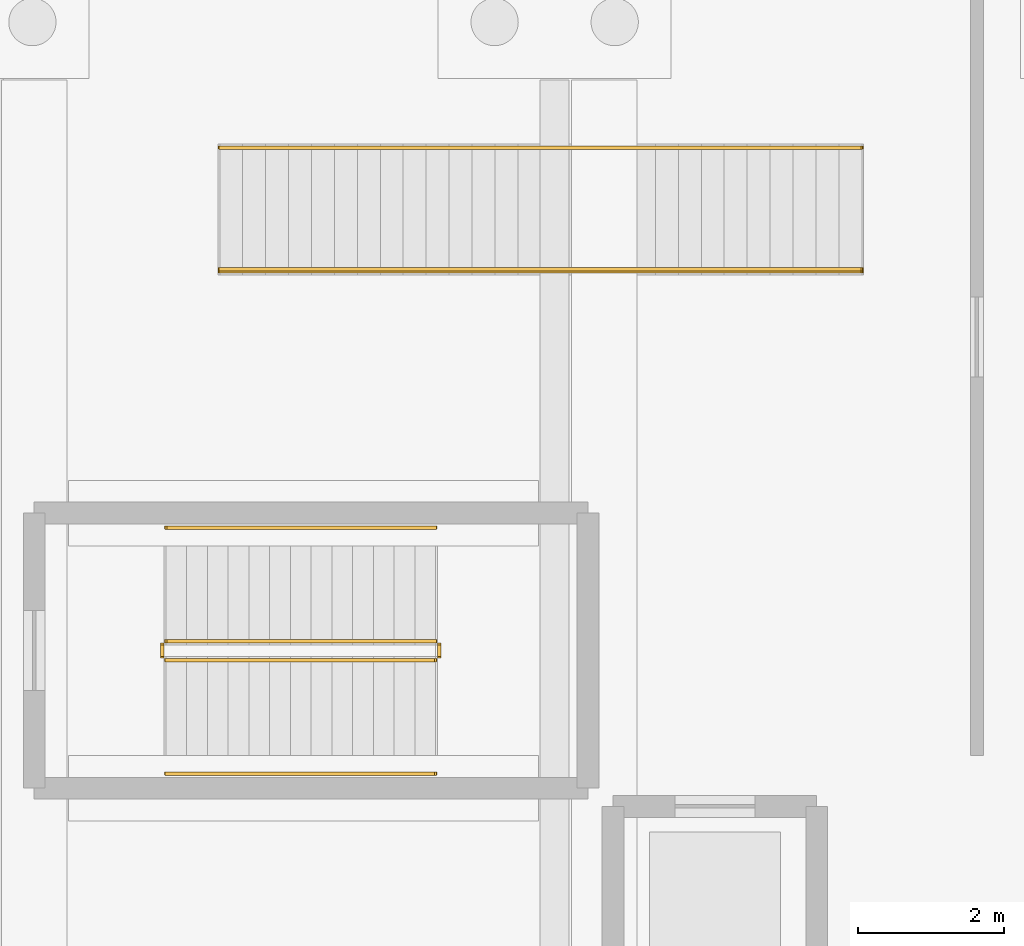
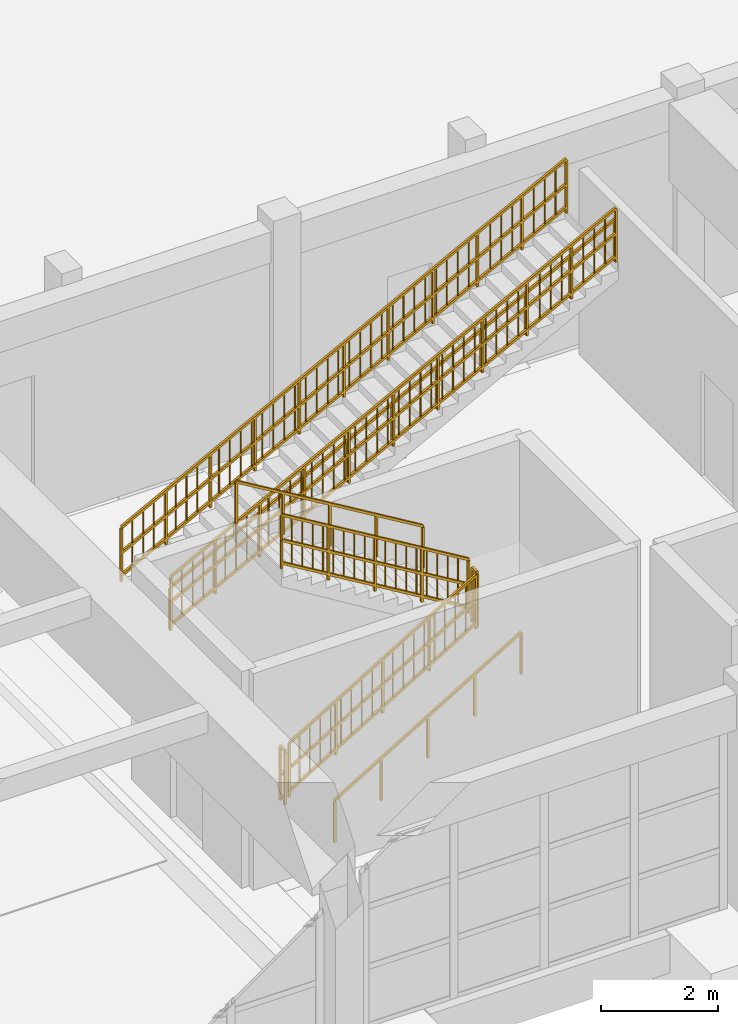
# One storey, part 60 of 68: 9 railings.
"""IFC4 building model written with IfcOpenShell, lengths in metres."""

from ifc_helpers import new_model, si_unit, direction, frame, origin, origin_2d, place, context, subcontext, project, spatial, rectangle, extrude, material, layer, layer_set, type_object, element, save


model = new_model("IFC4")

# Units and contexts
model_context = context("Model", 3, precision=1e-05, world=origin(), true_north=direction((0.0, 1.0)))
body_context = subcontext(model_context, "Body", "Model", "MODEL_VIEW")
ifc_project = project(units=[si_unit("LENGTHUNIT", "METRE"), si_unit("AREAUNIT", "SQUARE_METRE"), si_unit("VOLUMEUNIT", "CUBIC_METRE"), si_unit("PLANEANGLEUNIT", "RADIAN"), si_unit("MASSUNIT", "GRAM", prefix="KILO")], contexts=[model_context])

# Site, building, storey
site_placement = place(None, origin())
site = spatial("IfcSite", under=ifc_project, at=site_placement, CompositionType="ELEMENT")
building_placement = place(site_placement, origin())
building = spatial("IfcBuilding", under=site, at=building_placement, Name="Serraluz Foothill Cableway Terminal", CompositionType="ELEMENT")
storey_placement = place(building_placement, origin())
storey = spatial("IfcBuildingStorey", under=building, at=storey_placement, Name="L00", CompositionType="ELEMENT", Elevation=0.0)

# Railings
ifc_material_1 = material(Name="Steel ASTM A572 Grade 50", Category="steel")
ifc_layer_1 = layer(ifc_material_1, 0.054931640625, Name="Steel ASTM A572 Grade 50", Category="steel")
ifc_layer_set_1 = layer_set([ifc_layer_1], Name="Steel ASTM A572 Grade 50")
railing_type_1 = type_object("IfcRailingType", Name="TYP-RL-GRD-1150", PredefinedType="GUARDRAIL", material=ifc_layer_set_1)
railing_1_placement = place(storey_placement, frame((98.659912109375, 6.409912109375, 0.17138671875)))
element("IfcRailing", 1, at=railing_1_placement, inside=storey, type_object=railing_type_1, Name="L00 ST-06 stair guard 1", PredefinedType="GUARDRAIL", context=body_context, shape_type="SweptSolid", body=[
    extrude(rectangle(XDim=0.048095703125, YDim=0.048095703125, at=origin_2d()), frame((0.0, 0.0, 1.1259765625), z_axis=(0.856934400257, 0.0, 0.515425487977), x_axis=(0.0, 1.0, 0.0)), (0.0, 0.0, 1.0), 4.32373046875),
    extrude(rectangle(XDim=0.048095703125, YDim=0.048095703125, at=origin_2d()), frame((0.0, 0.0, 0.597900390625), z_axis=(0.856934400257, 0.0, 0.515425487977), x_axis=(0.0, 1.0, 0.0)), (0.0, 0.0, 1.0), 4.32373046875),
    extrude(rectangle(XDim=0.048095703125, YDim=0.048095703125, at=origin_2d()), frame((0.0, 0.0, 0.1201171875), z_axis=(0.856934400257, 0.0, 0.515425487977), x_axis=(0.0, 1.0, 0.0)), (0.0, 0.0, 1.0), 4.32373046875),
    extrude(rectangle(XDim=0.02001953125, YDim=0.02001953125, at=origin_2d()), frame((0.205810546875, 0.0, 0.243896484375)), (0.0, 0.0, 1.0), 0.981689453125),
    extrude(rectangle(XDim=0.02001953125, YDim=0.02001953125, at=origin_2d()), frame((0.41162109375, 0.0, 0.36767578125)), (0.0, 0.0, 1.0), 0.981689453125),
    extrude(rectangle(XDim=0.02001953125, YDim=0.02001953125, at=origin_2d()), frame((0.617431640625, 0.0, 0.491455078125)), (0.0, 0.0, 1.0), 0.981689453125),
    extrude(rectangle(XDim=0.02001953125, YDim=0.02001953125, at=origin_2d()), frame((0.8232421875, 0.0, 0.615234375)), (0.0, 0.0, 1.0), 0.981689453125),
    extrude(rectangle(XDim=0.02001953125, YDim=0.02001953125, at=origin_2d()), frame((1.029296875, 0.0, 0.739013671875)), (0.0, 0.0, 1.0), 0.981689453125),
    extrude(rectangle(XDim=0.02001953125, YDim=0.02001953125, at=origin_2d()), frame((1.235107421875, 0.0, 0.86279296875)), (0.0, 0.0, 1.0), 0.981689453125),
    extrude(rectangle(XDim=0.02001953125, YDim=0.02001953125, at=origin_2d()), frame((1.44091796875, 0.0, 0.986572265625)), (0.0, 0.0, 1.0), 0.981689453125),
    extrude(rectangle(XDim=0.02001953125, YDim=0.02001953125, at=origin_2d()), frame((1.646728515625, 0.0, 1.1103515625)), (0.0, 0.0, 1.0), 0.981689453125),
    extrude(rectangle(XDim=0.02001953125, YDim=0.02001953125, at=origin_2d()), frame((2.058349609375, 0.0, 1.358154296875)), (0.0, 0.0, 1.0), 0.981689453125),
    extrude(rectangle(XDim=0.02001953125, YDim=0.02001953125, at=origin_2d()), frame((2.26416015625, 0.0, 1.48193359375)), (0.0, 0.0, 1.0), 0.981689453125),
    extrude(rectangle(XDim=0.02001953125, YDim=0.02001953125, at=origin_2d()), frame((2.469970703125, 0.0, 1.605712890625)), (0.0, 0.0, 1.0), 0.981689453125),
    extrude(rectangle(XDim=0.02001953125, YDim=0.02001953125, at=origin_2d()), frame((2.67578125, 0.0, 1.7294921875)), (0.0, 0.0, 1.0), 0.981689453125),
    extrude(rectangle(XDim=0.02001953125, YDim=0.02001953125, at=origin_2d()), frame((2.8818359375, 0.0, 1.853271484375)), (0.0, 0.0, 1.0), 0.981689453125),
    extrude(rectangle(XDim=0.02001953125, YDim=0.02001953125, at=origin_2d()), frame((3.087646484375, 0.0, 1.97705078125)), (0.0, 0.0, 1.0), 0.981689453125),
    extrude(rectangle(XDim=0.02001953125, YDim=0.02001953125, at=origin_2d()), frame((3.29345703125, 0.0, 2.100830078125)), (0.0, 0.0, 1.0), 0.981689453125),
    extrude(rectangle(XDim=0.02001953125, YDim=0.02001953125, at=origin_2d()), frame((3.499267578125, 0.0, 2.224609375)), (0.0, 0.0, 1.0), 0.981689453125),
    extrude(rectangle(XDim=0.0439453125, YDim=0.0439453125, at=origin_2d()), origin(), (0.0, 0.0, 1.0), 1.101806640625),
    extrude(rectangle(XDim=0.0439453125, YDim=0.0439453125, at=origin_2d()), frame((0.92626953125, 0.0, 0.55712890625)), (0.0, 0.0, 1.0), 1.101806640625),
    extrude(rectangle(XDim=0.0439453125, YDim=0.0439453125, at=origin_2d()), frame((1.8525390625, 0.0, 1.1142578125)), (0.0, 0.0, 1.0), 1.101806640625),
    extrude(rectangle(XDim=0.0439453125, YDim=0.0439453125, at=origin_2d()), frame((2.77880859375, 0.0, 1.67138671875)), (0.0, 0.0, 1.0), 1.101806640625),
    extrude(rectangle(XDim=0.0439453125, YDim=0.0439453125, at=origin_2d()), frame((3.705078125, 0.0, 2.228515625)), (0.0, 0.0, 1.0), 1.101806640625),
])
railing_2_placement = place(storey_placement, frame((102.4150390625, 6.4599609375, 2.39990234375)))
element("IfcRailing", 2, at=railing_2_placement, inside=storey, type_object=railing_type_1, Name="L00 ST-06 stair guard 2", PredefinedType="GUARDRAIL", context=body_context, shape_type="SweptSolid", body=[
    extrude(rectangle(XDim=0.048095703125, YDim=0.048095703125, at=origin_2d()), frame((0.0, 0.0, 1.1259765625), z_axis=(0.0, 1.0, 0.0), x_axis=(-1.0, 0.0, 0.0)), (0.0, 0.0, 1.0), 0.16015625),
    extrude(rectangle(XDim=0.048095703125, YDim=0.048095703125, at=origin_2d()), frame((0.0, 0.0, 0.597900390625), z_axis=(0.0, 1.0, 0.0), x_axis=(-1.0, 0.0, 0.0)), (0.0, 0.0, 1.0), 0.16015625),
    extrude(rectangle(XDim=0.048095703125, YDim=0.048095703125, at=origin_2d()), frame((0.0, 0.0, 0.1201171875), z_axis=(0.0, 1.0, 0.0), x_axis=(-1.0, 0.0, 0.0)), (0.0, 0.0, 1.0), 0.16015625),
    extrude(rectangle(XDim=0.0439453125, YDim=0.0439453125, at=origin_2d()), origin(), (0.0, 0.0, 1.0), 1.101806640625),
    extrude(rectangle(XDim=0.0439453125, YDim=0.0439453125, at=origin_2d()), frame((0.0, 0.16015625, 0.0)), (0.0, 0.0, 1.0), 1.101806640625),
])
railing_3_placement = place(storey_placement, frame((102.364990234375, 6.669921875, 2.571533203125)))
element("IfcRailing", 3, at=railing_3_placement, inside=storey, type_object=railing_type_1, Name="L00 ST-06 stair guard 3", PredefinedType="GUARDRAIL", context=body_context, shape_type="SweptSolid", body=[
    extrude(rectangle(XDim=0.048095703125, YDim=0.048095703125, at=origin_2d()), frame((0.0, 0.0, 1.1259765625), z_axis=(-0.856934400257, 0.0, 0.515425487977), x_axis=(0.0, -1.0, 0.0)), (0.0, 0.0, 1.0), 4.32373046875),
    extrude(rectangle(XDim=0.048095703125, YDim=0.048095703125, at=origin_2d()), frame((0.0, 0.0, 0.597900390625), z_axis=(-0.856934400257, 0.0, 0.515425487977), x_axis=(0.0, -1.0, 0.0)), (0.0, 0.0, 1.0), 4.32373046875),
    extrude(rectangle(XDim=0.048095703125, YDim=0.048095703125, at=origin_2d()), frame((0.0, 0.0, 0.1201171875), z_axis=(-0.856934400257, 0.0, 0.515425487977), x_axis=(0.0, -1.0, 0.0)), (0.0, 0.0, 1.0), 4.32373046875),
    extrude(rectangle(XDim=0.02001953125, YDim=0.02001953125, at=origin_2d()), frame((-0.205810546875, 0.0, 0.243896484375)), (0.0, 0.0, 1.0), 0.981689453125),
    extrude(rectangle(XDim=0.02001953125, YDim=0.02001953125, at=origin_2d()), frame((-0.41162109375, 0.0, 0.36767578125)), (0.0, 0.0, 1.0), 0.981689453125),
    extrude(rectangle(XDim=0.02001953125, YDim=0.02001953125, at=origin_2d()), frame((-0.617431640625, 0.0, 0.491455078125)), (0.0, 0.0, 1.0), 0.981689453125),
    extrude(rectangle(XDim=0.02001953125, YDim=0.02001953125, at=origin_2d()), frame((-0.8232421875, 0.0, 0.615234375)), (0.0, 0.0, 1.0), 0.981689453125),
    extrude(rectangle(XDim=0.02001953125, YDim=0.02001953125, at=origin_2d()), frame((-1.029296875, 0.0, 0.739013671875)), (0.0, 0.0, 1.0), 0.981689453125),
    extrude(rectangle(XDim=0.02001953125, YDim=0.02001953125, at=origin_2d()), frame((-1.235107421875, 0.0, 0.86279296875)), (0.0, 0.0, 1.0), 0.981689453125),
    extrude(rectangle(XDim=0.02001953125, YDim=0.02001953125, at=origin_2d()), frame((-1.44091796875, 0.0, 0.986572265625)), (0.0, 0.0, 1.0), 0.981689453125),
    extrude(rectangle(XDim=0.02001953125, YDim=0.02001953125, at=origin_2d()), frame((-1.646728515625, 0.0, 1.1103515625)), (0.0, 0.0, 1.0), 0.981689453125),
    extrude(rectangle(XDim=0.02001953125, YDim=0.02001953125, at=origin_2d()), frame((-2.058349609375, 0.0, 1.358154296875)), (0.0, 0.0, 1.0), 0.981689453125),
    extrude(rectangle(XDim=0.02001953125, YDim=0.02001953125, at=origin_2d()), frame((-2.26416015625, 0.0, 1.48193359375)), (0.0, 0.0, 1.0), 0.981689453125),
    extrude(rectangle(XDim=0.02001953125, YDim=0.02001953125, at=origin_2d()), frame((-2.469970703125, 0.0, 1.605712890625)), (0.0, 0.0, 1.0), 0.981689453125),
    extrude(rectangle(XDim=0.02001953125, YDim=0.02001953125, at=origin_2d()), frame((-2.67578125, 0.0, 1.7294921875)), (0.0, 0.0, 1.0), 0.981689453125),
    extrude(rectangle(XDim=0.02001953125, YDim=0.02001953125, at=origin_2d()), frame((-2.8818359375, 0.0, 1.853271484375)), (0.0, 0.0, 1.0), 0.981689453125),
    extrude(rectangle(XDim=0.02001953125, YDim=0.02001953125, at=origin_2d()), frame((-3.087646484375, 0.0, 1.97705078125)), (0.0, 0.0, 1.0), 0.981689453125),
    extrude(rectangle(XDim=0.02001953125, YDim=0.02001953125, at=origin_2d()), frame((-3.29345703125, 0.0, 2.100830078125)), (0.0, 0.0, 1.0), 0.981689453125),
    extrude(rectangle(XDim=0.02001953125, YDim=0.02001953125, at=origin_2d()), frame((-3.499267578125, 0.0, 2.224609375)), (0.0, 0.0, 1.0), 0.981689453125),
    extrude(rectangle(XDim=0.0439453125, YDim=0.0439453125, at=origin_2d()), origin(), (0.0, 0.0, 1.0), 1.101806640625),
    extrude(rectangle(XDim=0.0439453125, YDim=0.0439453125, at=origin_2d()), frame((-0.92626953125, 0.0, 0.55712890625)), (0.0, 0.0, 1.0), 1.101806640625),
    extrude(rectangle(XDim=0.0439453125, YDim=0.0439453125, at=origin_2d()), frame((-1.8525390625, 0.0, 1.1142578125)), (0.0, 0.0, 1.0), 1.101806640625),
    extrude(rectangle(XDim=0.0439453125, YDim=0.0439453125, at=origin_2d()), frame((-2.77880859375, 0.0, 1.67138671875)), (0.0, 0.0, 1.0), 1.101806640625),
    extrude(rectangle(XDim=0.0439453125, YDim=0.0439453125, at=origin_2d()), frame((-3.705078125, 0.0, 2.228515625)), (0.0, 0.0, 1.0), 1.101806640625),
])
railing_4_placement = place(storey_placement, frame((98.610107421875, 6.4599609375, 0.0)))
element("IfcRailing", 4, at=railing_4_placement, inside=storey, type_object=railing_type_1, Name="L00 ST-06 stair guard 4", PredefinedType="GUARDRAIL", context=body_context, shape_type="SweptSolid", body=[
    extrude(rectangle(XDim=0.048095703125, YDim=0.048095703125, at=origin_2d()), frame((0.0, 0.0, 1.1259765625), z_axis=(0.0, 1.0, 0.0), x_axis=(-1.0, 0.0, 0.0)), (0.0, 0.0, 1.0), 0.16015625),
    extrude(rectangle(XDim=0.048095703125, YDim=0.048095703125, at=origin_2d()), frame((0.0, 0.0, 0.597900390625), z_axis=(0.0, 1.0, 0.0), x_axis=(-1.0, 0.0, 0.0)), (0.0, 0.0, 1.0), 0.16015625),
    extrude(rectangle(XDim=0.048095703125, YDim=0.048095703125, at=origin_2d()), frame((0.0, 0.0, 0.1201171875), z_axis=(0.0, 1.0, 0.0), x_axis=(-1.0, 0.0, 0.0)), (0.0, 0.0, 1.0), 0.16015625),
    extrude(rectangle(XDim=0.0439453125, YDim=0.0439453125, at=origin_2d()), origin(), (0.0, 0.0, 1.0), 1.101806640625),
    extrude(rectangle(XDim=0.0439453125, YDim=0.0439453125, at=origin_2d()), frame((0.0, 0.16015625, 0.0)), (0.0, 0.0, 1.0), 1.101806640625),
])
railing_5_placement = place(storey_placement, frame((99.39990234375, 11.75, 0.16552734375)))
element("IfcRailing", 5, at=railing_5_placement, inside=storey, type_object=railing_type_1, Name="GUARDRAIL ST-F04-L", PredefinedType="GUARDRAIL", context=body_context, shape_type="SweptSolid", body=[
    extrude(rectangle(XDim=0.048095703125, YDim=0.048095703125, at=origin_2d()), frame((0.0, 0.0, 1.1259765625), z_axis=(0.88523321492, 0.0, 0.465147455333), x_axis=(0.0, 1.0, 0.0)), (0.0, 0.0, 1.0), 9.963623046875),
    extrude(rectangle(XDim=0.048095703125, YDim=0.048095703125, at=origin_2d()), frame((0.0, 0.0, 0.597900390625), z_axis=(0.88523321492, 0.0, 0.465147455333), x_axis=(0.0, 1.0, 0.0)), (0.0, 0.0, 1.0), 9.963623046875),
    extrude(rectangle(XDim=0.048095703125, YDim=0.048095703125, at=origin_2d()), frame((0.0, 0.0, 0.1201171875), z_axis=(0.88523321492, 0.0, 0.465147455333), x_axis=(0.0, 1.0, 0.0)), (0.0, 0.0, 1.0), 9.963623046875),
    extrude(rectangle(XDim=0.02001953125, YDim=0.02001953125, at=origin_2d()), frame((0.215087890625, 0.0, 0.233154296875)), (0.0, 0.0, 1.0), 0.981689453125),
    extrude(rectangle(XDim=0.02001953125, YDim=0.02001953125, at=origin_2d()), frame((0.43017578125, 0.0, 0.34619140625)), (0.0, 0.0, 1.0), 0.981689453125),
    extrude(rectangle(XDim=0.02001953125, YDim=0.02001953125, at=origin_2d()), frame((0.645263671875, 0.0, 0.459228515625)), (0.0, 0.0, 1.0), 0.981689453125),
    extrude(rectangle(XDim=0.02001953125, YDim=0.02001953125, at=origin_2d()), frame((1.07568359375, 0.0, 0.685302734375)), (0.0, 0.0, 1.0), 0.981689453125),
    extrude(rectangle(XDim=0.02001953125, YDim=0.02001953125, at=origin_2d()), frame((1.290771484375, 0.0, 0.79833984375)), (0.0, 0.0, 1.0), 0.981689453125),
    extrude(rectangle(XDim=0.02001953125, YDim=0.02001953125, at=origin_2d()), frame((1.505859375, 0.0, 0.911376953125)), (0.0, 0.0, 1.0), 0.981689453125),
    extrude(rectangle(XDim=0.02001953125, YDim=0.02001953125, at=origin_2d()), frame((1.93603515625, 0.0, 1.137451171875)), (0.0, 0.0, 1.0), 0.981689453125),
    extrude(rectangle(XDim=0.02001953125, YDim=0.02001953125, at=origin_2d()), frame((2.151123046875, 0.0, 1.25048828125)), (0.0, 0.0, 1.0), 0.981689453125),
    extrude(rectangle(XDim=0.02001953125, YDim=0.02001953125, at=origin_2d()), frame((2.366455078125, 0.0, 1.363525390625)), (0.0, 0.0, 1.0), 0.981689453125),
    extrude(rectangle(XDim=0.02001953125, YDim=0.02001953125, at=origin_2d()), frame((2.58154296875, 0.0, 1.4765625)), (0.0, 0.0, 1.0), 0.981689453125),
    extrude(rectangle(XDim=0.02001953125, YDim=0.02001953125, at=origin_2d()), frame((2.796630859375, 0.0, 1.589599609375)), (0.0, 0.0, 1.0), 0.981689453125),
    extrude(rectangle(XDim=0.02001953125, YDim=0.02001953125, at=origin_2d()), frame((3.01171875, 0.0, 1.70263671875)), (0.0, 0.0, 1.0), 0.981689453125),
    extrude(rectangle(XDim=0.02001953125, YDim=0.02001953125, at=origin_2d()), frame((3.226806640625, 0.0, 1.815673828125)), (0.0, 0.0, 1.0), 0.981689453125),
    extrude(rectangle(XDim=0.02001953125, YDim=0.02001953125, at=origin_2d()), frame((3.44189453125, 0.0, 1.9287109375)), (0.0, 0.0, 1.0), 0.981689453125),
    extrude(rectangle(XDim=0.02001953125, YDim=0.02001953125, at=origin_2d()), frame((3.656982421875, 0.0, 2.041748046875)), (0.0, 0.0, 1.0), 0.981689453125),
    extrude(rectangle(XDim=0.02001953125, YDim=0.02001953125, at=origin_2d()), frame((3.872314453125, 0.0, 2.15478515625)), (0.0, 0.0, 1.0), 0.981689453125),
    extrude(rectangle(XDim=0.02001953125, YDim=0.02001953125, at=origin_2d()), frame((4.08740234375, 0.0, 2.267822265625)), (0.0, 0.0, 1.0), 0.981689453125),
    extrude(rectangle(XDim=0.02001953125, YDim=0.02001953125, at=origin_2d()), frame((4.302490234375, 0.0, 2.380859375)), (0.0, 0.0, 1.0), 0.981689453125),
    extrude(rectangle(XDim=0.02001953125, YDim=0.02001953125, at=origin_2d()), frame((4.517578125, 0.0, 2.493896484375)), (0.0, 0.0, 1.0), 0.981689453125),
    extrude(rectangle(XDim=0.02001953125, YDim=0.02001953125, at=origin_2d()), frame((4.732666015625, 0.0, 2.60693359375)), (0.0, 0.0, 1.0), 0.981689453125),
    extrude(rectangle(XDim=0.02001953125, YDim=0.02001953125, at=origin_2d()), frame((4.94775390625, 0.0, 2.719970703125)), (0.0, 0.0, 1.0), 0.981689453125),
    extrude(rectangle(XDim=0.02001953125, YDim=0.02001953125, at=origin_2d()), frame((5.1630859375, 0.0, 2.8330078125)), (0.0, 0.0, 1.0), 0.981689453125),
    extrude(rectangle(XDim=0.02001953125, YDim=0.02001953125, at=origin_2d()), frame((5.378173828125, 0.0, 2.946044921875)), (0.0, 0.0, 1.0), 0.981689453125),
    extrude(rectangle(XDim=0.02001953125, YDim=0.02001953125, at=origin_2d()), frame((5.59326171875, 0.0, 3.05908203125)), (0.0, 0.0, 1.0), 0.981689453125),
    extrude(rectangle(XDim=0.02001953125, YDim=0.02001953125, at=origin_2d()), frame((5.808349609375, 0.0, 3.172119140625)), (0.0, 0.0, 1.0), 0.981689453125),
    extrude(rectangle(XDim=0.02001953125, YDim=0.02001953125, at=origin_2d()), frame((6.0234375, 0.0, 3.28515625)), (0.0, 0.0, 1.0), 0.981689453125),
    extrude(rectangle(XDim=0.02001953125, YDim=0.02001953125, at=origin_2d()), frame((6.238525390625, 0.0, 3.398193359375)), (0.0, 0.0, 1.0), 0.981689453125),
    extrude(rectangle(XDim=0.02001953125, YDim=0.02001953125, at=origin_2d()), frame((6.45361328125, 0.0, 3.51123046875)), (0.0, 0.0, 1.0), 0.981689453125),
    extrude(rectangle(XDim=0.02001953125, YDim=0.02001953125, at=origin_2d()), frame((6.6689453125, 0.0, 3.624267578125)), (0.0, 0.0, 1.0), 0.981689453125),
    extrude(rectangle(XDim=0.02001953125, YDim=0.02001953125, at=origin_2d()), frame((6.884033203125, 0.0, 3.7373046875)), (0.0, 0.0, 1.0), 0.981689453125),
    extrude(rectangle(XDim=0.02001953125, YDim=0.02001953125, at=origin_2d()), frame((7.314208984375, 0.0, 3.96337890625)), (0.0, 0.0, 1.0), 0.981689453125),
    extrude(rectangle(XDim=0.02001953125, YDim=0.02001953125, at=origin_2d()), frame((7.529296875, 0.0, 4.076416015625)), (0.0, 0.0, 1.0), 0.981689453125),
    extrude(rectangle(XDim=0.02001953125, YDim=0.02001953125, at=origin_2d()), frame((7.744384765625, 0.0, 4.189453125)), (0.0, 0.0, 1.0), 0.981689453125),
    extrude(rectangle(XDim=0.02001953125, YDim=0.02001953125, at=origin_2d()), frame((8.1748046875, 0.0, 4.41552734375)), (0.0, 0.0, 1.0), 0.981689453125),
    extrude(rectangle(XDim=0.02001953125, YDim=0.02001953125, at=origin_2d()), frame((8.389892578125, 0.0, 4.528564453125)), (0.0, 0.0, 1.0), 0.981689453125),
    extrude(rectangle(XDim=0.02001953125, YDim=0.02001953125, at=origin_2d()), frame((8.60498046875, 0.0, 4.6416015625)), (0.0, 0.0, 1.0), 0.981689453125),
    extrude(rectangle(XDim=0.0439453125, YDim=0.0439453125, at=origin_2d()), origin(), (0.0, 0.0, 1.0), 1.101806640625),
    extrude(rectangle(XDim=0.0439453125, YDim=0.0439453125, at=origin_2d()), frame((0.882080078125, 0.0, 0.46337890625)), (0.0, 0.0, 1.0), 1.101806640625),
    extrude(rectangle(XDim=0.0439453125, YDim=0.0439453125, at=origin_2d()), frame((1.763916015625, 0.0, 0.927001953125)), (0.0, 0.0, 1.0), 1.101806640625),
    extrude(rectangle(XDim=0.0439453125, YDim=0.0439453125, at=origin_2d()), frame((2.64599609375, 0.0, 1.390380859375)), (0.0, 0.0, 1.0), 1.101806640625),
    extrude(rectangle(XDim=0.0439453125, YDim=0.0439453125, at=origin_2d()), frame((3.528076171875, 0.0, 1.853759765625)), (0.0, 0.0, 1.0), 1.101806640625),
    extrude(rectangle(XDim=0.0439453125, YDim=0.0439453125, at=origin_2d()), frame((4.41015625, 0.0, 2.3173828125)), (0.0, 0.0, 1.0), 1.101806640625),
    extrude(rectangle(XDim=0.0439453125, YDim=0.0439453125, at=origin_2d()), frame((5.2919921875, 0.0, 2.78076171875)), (0.0, 0.0, 1.0), 1.101806640625),
    extrude(rectangle(XDim=0.0439453125, YDim=0.0439453125, at=origin_2d()), frame((6.174072265625, 0.0, 3.244140625)), (0.0, 0.0, 1.0), 1.101806640625),
    extrude(rectangle(XDim=0.0439453125, YDim=0.0439453125, at=origin_2d()), frame((7.05615234375, 0.0, 3.70751953125)), (0.0, 0.0, 1.0), 1.101806640625),
    extrude(rectangle(XDim=0.0439453125, YDim=0.0439453125, at=origin_2d()), frame((7.93798828125, 0.0, 4.171142578125)), (0.0, 0.0, 1.0), 1.101806640625),
    extrude(rectangle(XDim=0.0439453125, YDim=0.0439453125, at=origin_2d()), frame((8.820068359375, 0.0, 4.634521484375)), (0.0, 0.0, 1.0), 1.101806640625),
])
railing_6_placement = place(storey_placement, frame((99.39990234375, 13.449951171875, 0.16552734375)))
element("IfcRailing", 6, at=railing_6_placement, inside=storey, type_object=railing_type_1, Name="GUARDRAIL ST-F04-R", PredefinedType="GUARDRAIL", context=body_context, shape_type="SweptSolid", body=[
    extrude(rectangle(XDim=0.048095703125, YDim=0.048095703125, at=origin_2d()), frame((0.0, 0.0, 1.1259765625), z_axis=(0.88523321492, 0.0, 0.465147455333), x_axis=(0.0, 1.0, 0.0)), (0.0, 0.0, 1.0), 9.963623046875),
    extrude(rectangle(XDim=0.048095703125, YDim=0.048095703125, at=origin_2d()), frame((0.0, 0.0, 0.597900390625), z_axis=(0.88523321492, 0.0, 0.465147455333), x_axis=(0.0, 1.0, 0.0)), (0.0, 0.0, 1.0), 9.963623046875),
    extrude(rectangle(XDim=0.048095703125, YDim=0.048095703125, at=origin_2d()), frame((0.0, 0.0, 0.1201171875), z_axis=(0.88523321492, 0.0, 0.465147455333), x_axis=(0.0, 1.0, 0.0)), (0.0, 0.0, 1.0), 9.963623046875),
    extrude(rectangle(XDim=0.02001953125, YDim=0.02001953125, at=origin_2d()), frame((0.215087890625, 0.0, 0.233154296875)), (0.0, 0.0, 1.0), 0.981689453125),
    extrude(rectangle(XDim=0.02001953125, YDim=0.02001953125, at=origin_2d()), frame((0.43017578125, 0.0, 0.34619140625)), (0.0, 0.0, 1.0), 0.981689453125),
    extrude(rectangle(XDim=0.02001953125, YDim=0.02001953125, at=origin_2d()), frame((0.645263671875, 0.0, 0.459228515625)), (0.0, 0.0, 1.0), 0.981689453125),
    extrude(rectangle(XDim=0.02001953125, YDim=0.02001953125, at=origin_2d()), frame((1.07568359375, 0.0, 0.685302734375)), (0.0, 0.0, 1.0), 0.981689453125),
    extrude(rectangle(XDim=0.02001953125, YDim=0.02001953125, at=origin_2d()), frame((1.290771484375, 0.0, 0.79833984375)), (0.0, 0.0, 1.0), 0.981689453125),
    extrude(rectangle(XDim=0.02001953125, YDim=0.02001953125, at=origin_2d()), frame((1.505859375, 0.0, 0.911376953125)), (0.0, 0.0, 1.0), 0.981689453125),
    extrude(rectangle(XDim=0.02001953125, YDim=0.02001953125, at=origin_2d()), frame((1.93603515625, 0.0, 1.137451171875)), (0.0, 0.0, 1.0), 0.981689453125),
    extrude(rectangle(XDim=0.02001953125, YDim=0.02001953125, at=origin_2d()), frame((2.151123046875, 0.0, 1.25048828125)), (0.0, 0.0, 1.0), 0.981689453125),
    extrude(rectangle(XDim=0.02001953125, YDim=0.02001953125, at=origin_2d()), frame((2.366455078125, 0.0, 1.363525390625)), (0.0, 0.0, 1.0), 0.981689453125),
    extrude(rectangle(XDim=0.02001953125, YDim=0.02001953125, at=origin_2d()), frame((2.58154296875, 0.0, 1.4765625)), (0.0, 0.0, 1.0), 0.981689453125),
    extrude(rectangle(XDim=0.02001953125, YDim=0.02001953125, at=origin_2d()), frame((2.796630859375, 0.0, 1.589599609375)), (0.0, 0.0, 1.0), 0.981689453125),
    extrude(rectangle(XDim=0.02001953125, YDim=0.02001953125, at=origin_2d()), frame((3.01171875, 0.0, 1.70263671875)), (0.0, 0.0, 1.0), 0.981689453125),
    extrude(rectangle(XDim=0.02001953125, YDim=0.02001953125, at=origin_2d()), frame((3.226806640625, 0.0, 1.815673828125)), (0.0, 0.0, 1.0), 0.981689453125),
    extrude(rectangle(XDim=0.02001953125, YDim=0.02001953125, at=origin_2d()), frame((3.44189453125, 0.0, 1.9287109375)), (0.0, 0.0, 1.0), 0.981689453125),
    extrude(rectangle(XDim=0.02001953125, YDim=0.02001953125, at=origin_2d()), frame((3.656982421875, 0.0, 2.041748046875)), (0.0, 0.0, 1.0), 0.981689453125),
    extrude(rectangle(XDim=0.02001953125, YDim=0.02001953125, at=origin_2d()), frame((3.872314453125, 0.0, 2.15478515625)), (0.0, 0.0, 1.0), 0.981689453125),
    extrude(rectangle(XDim=0.02001953125, YDim=0.02001953125, at=origin_2d()), frame((4.08740234375, 0.0, 2.267822265625)), (0.0, 0.0, 1.0), 0.981689453125),
    extrude(rectangle(XDim=0.02001953125, YDim=0.02001953125, at=origin_2d()), frame((4.302490234375, 0.0, 2.380859375)), (0.0, 0.0, 1.0), 0.981689453125),
    extrude(rectangle(XDim=0.02001953125, YDim=0.02001953125, at=origin_2d()), frame((4.517578125, 0.0, 2.493896484375)), (0.0, 0.0, 1.0), 0.981689453125),
    extrude(rectangle(XDim=0.02001953125, YDim=0.02001953125, at=origin_2d()), frame((4.732666015625, 0.0, 2.60693359375)), (0.0, 0.0, 1.0), 0.981689453125),
    extrude(rectangle(XDim=0.02001953125, YDim=0.02001953125, at=origin_2d()), frame((4.94775390625, 0.0, 2.719970703125)), (0.0, 0.0, 1.0), 0.981689453125),
    extrude(rectangle(XDim=0.02001953125, YDim=0.02001953125, at=origin_2d()), frame((5.1630859375, 0.0, 2.8330078125)), (0.0, 0.0, 1.0), 0.981689453125),
    extrude(rectangle(XDim=0.02001953125, YDim=0.02001953125, at=origin_2d()), frame((5.378173828125, 0.0, 2.946044921875)), (0.0, 0.0, 1.0), 0.981689453125),
    extrude(rectangle(XDim=0.02001953125, YDim=0.02001953125, at=origin_2d()), frame((5.59326171875, 0.0, 3.05908203125)), (0.0, 0.0, 1.0), 0.981689453125),
    extrude(rectangle(XDim=0.02001953125, YDim=0.02001953125, at=origin_2d()), frame((5.808349609375, 0.0, 3.172119140625)), (0.0, 0.0, 1.0), 0.981689453125),
    extrude(rectangle(XDim=0.02001953125, YDim=0.02001953125, at=origin_2d()), frame((6.0234375, 0.0, 3.28515625)), (0.0, 0.0, 1.0), 0.981689453125),
    extrude(rectangle(XDim=0.02001953125, YDim=0.02001953125, at=origin_2d()), frame((6.238525390625, 0.0, 3.398193359375)), (0.0, 0.0, 1.0), 0.981689453125),
    extrude(rectangle(XDim=0.02001953125, YDim=0.02001953125, at=origin_2d()), frame((6.45361328125, 0.0, 3.51123046875)), (0.0, 0.0, 1.0), 0.981689453125),
    extrude(rectangle(XDim=0.02001953125, YDim=0.02001953125, at=origin_2d()), frame((6.6689453125, 0.0, 3.624267578125)), (0.0, 0.0, 1.0), 0.981689453125),
    extrude(rectangle(XDim=0.02001953125, YDim=0.02001953125, at=origin_2d()), frame((6.884033203125, 0.0, 3.7373046875)), (0.0, 0.0, 1.0), 0.981689453125),
    extrude(rectangle(XDim=0.02001953125, YDim=0.02001953125, at=origin_2d()), frame((7.314208984375, 0.0, 3.96337890625)), (0.0, 0.0, 1.0), 0.981689453125),
    extrude(rectangle(XDim=0.02001953125, YDim=0.02001953125, at=origin_2d()), frame((7.529296875, 0.0, 4.076416015625)), (0.0, 0.0, 1.0), 0.981689453125),
    extrude(rectangle(XDim=0.02001953125, YDim=0.02001953125, at=origin_2d()), frame((7.744384765625, 0.0, 4.189453125)), (0.0, 0.0, 1.0), 0.981689453125),
    extrude(rectangle(XDim=0.02001953125, YDim=0.02001953125, at=origin_2d()), frame((8.1748046875, 0.0, 4.41552734375)), (0.0, 0.0, 1.0), 0.981689453125),
    extrude(rectangle(XDim=0.02001953125, YDim=0.02001953125, at=origin_2d()), frame((8.389892578125, 0.0, 4.528564453125)), (0.0, 0.0, 1.0), 0.981689453125),
    extrude(rectangle(XDim=0.02001953125, YDim=0.02001953125, at=origin_2d()), frame((8.60498046875, 0.0, 4.6416015625)), (0.0, 0.0, 1.0), 0.981689453125),
    extrude(rectangle(XDim=0.0439453125, YDim=0.0439453125, at=origin_2d()), origin(), (0.0, 0.0, 1.0), 1.101806640625),
    extrude(rectangle(XDim=0.0439453125, YDim=0.0439453125, at=origin_2d()), frame((0.882080078125, 0.0, 0.46337890625)), (0.0, 0.0, 1.0), 1.101806640625),
    extrude(rectangle(XDim=0.0439453125, YDim=0.0439453125, at=origin_2d()), frame((1.763916015625, 0.0, 0.927001953125)), (0.0, 0.0, 1.0), 1.101806640625),
    extrude(rectangle(XDim=0.0439453125, YDim=0.0439453125, at=origin_2d()), frame((2.64599609375, 0.0, 1.390380859375)), (0.0, 0.0, 1.0), 1.101806640625),
    extrude(rectangle(XDim=0.0439453125, YDim=0.0439453125, at=origin_2d()), frame((3.528076171875, 0.0, 1.853759765625)), (0.0, 0.0, 1.0), 1.101806640625),
    extrude(rectangle(XDim=0.0439453125, YDim=0.0439453125, at=origin_2d()), frame((4.41015625, 0.0, 2.3173828125)), (0.0, 0.0, 1.0), 1.101806640625),
    extrude(rectangle(XDim=0.0439453125, YDim=0.0439453125, at=origin_2d()), frame((5.2919921875, 0.0, 2.78076171875)), (0.0, 0.0, 1.0), 1.101806640625),
    extrude(rectangle(XDim=0.0439453125, YDim=0.0439453125, at=origin_2d()), frame((6.174072265625, 0.0, 3.244140625)), (0.0, 0.0, 1.0), 1.101806640625),
    extrude(rectangle(XDim=0.0439453125, YDim=0.0439453125, at=origin_2d()), frame((7.05615234375, 0.0, 3.70751953125)), (0.0, 0.0, 1.0), 1.101806640625),
    extrude(rectangle(XDim=0.0439453125, YDim=0.0439453125, at=origin_2d()), frame((7.93798828125, 0.0, 4.171142578125)), (0.0, 0.0, 1.0), 1.101806640625),
    extrude(rectangle(XDim=0.0439453125, YDim=0.0439453125, at=origin_2d()), frame((8.820068359375, 0.0, 4.634521484375)), (0.0, 0.0, 1.0), 1.101806640625),
])
ifc_material_2 = material(Name="Architectural bronze alloy C28000", Category="aluminium")
ifc_layer_2 = layer(ifc_material_2, 0.048095703125, Name="Architectural bronze alloy C28000", Category="aluminium")
ifc_layer_set_2 = layer_set([ifc_layer_2], Name="Architectural bronze alloy C28000")
railing_type_2 = type_object("IfcRailingType", Name="TYP-RL-HND-920", PredefinedType="HANDRAIL", material=ifc_layer_set_2)
railing_7_placement = place(storey_placement, frame((98.659912109375, 4.85009765625, 0.17138671875)))
element("IfcRailing", 7, at=railing_7_placement, inside=storey, type_object=railing_type_2, Name="L00 ST-06 stair handrail 1", PredefinedType="HANDRAIL", context=body_context, shape_type="SweptSolid", body=[
    extrude(rectangle(XDim=0.048095703125, YDim=0.048095703125, at=origin_2d()), frame((0.0, 0.0, 0.8759765625), z_axis=(0.856934400257, 0.0, 0.515425487977), x_axis=(0.0, 1.0, 0.0)), (0.0, 0.0, 1.0), 4.32373046875),
    extrude(rectangle(XDim=0.0439453125, YDim=0.0439453125, at=origin_2d()), origin(), (0.0, 0.0, 1.0), 0.851806640625),
    extrude(rectangle(XDim=0.0439453125, YDim=0.0439453125, at=origin_2d()), frame((0.92626953125, 0.0, 0.55712890625)), (0.0, 0.0, 1.0), 0.851806640625),
    extrude(rectangle(XDim=0.0439453125, YDim=0.0439453125, at=origin_2d()), frame((1.8525390625, 0.0, 1.1142578125)), (0.0, 0.0, 1.0), 0.851806640625),
    extrude(rectangle(XDim=0.0439453125, YDim=0.0439453125, at=origin_2d()), frame((2.77880859375, 0.0, 1.67138671875)), (0.0, 0.0, 1.0), 0.851806640625),
    extrude(rectangle(XDim=0.0439453125, YDim=0.0439453125, at=origin_2d()), frame((3.705078125, 0.0, 2.228515625)), (0.0, 0.0, 1.0), 0.851806640625),
])
railing_8_placement = place(storey_placement, frame((102.364990234375, 8.22998046875, 2.571533203125)))
element("IfcRailing", 8, at=railing_8_placement, inside=storey, type_object=railing_type_2, Name="L00 ST-06 stair handrail 2", PredefinedType="HANDRAIL", context=body_context, shape_type="SweptSolid", body=[
    extrude(rectangle(XDim=0.048095703125, YDim=0.048095703125, at=origin_2d()), frame((0.0, 0.0, 0.8759765625), z_axis=(-0.856934400257, 0.0, 0.515425487977), x_axis=(0.0, -1.0, 0.0)), (0.0, 0.0, 1.0), 4.32373046875),
    extrude(rectangle(XDim=0.0439453125, YDim=0.0439453125, at=origin_2d()), origin(), (0.0, 0.0, 1.0), 0.851806640625),
    extrude(rectangle(XDim=0.0439453125, YDim=0.0439453125, at=origin_2d()), frame((-0.92626953125, 0.0, 0.55712890625)), (0.0, 0.0, 1.0), 0.851806640625),
    extrude(rectangle(XDim=0.0439453125, YDim=0.0439453125, at=origin_2d()), frame((-1.8525390625, 0.0, 1.1142578125)), (0.0, 0.0, 1.0), 0.851806640625),
    extrude(rectangle(XDim=0.0439453125, YDim=0.0439453125, at=origin_2d()), frame((-2.77880859375, 0.0, 1.67138671875)), (0.0, 0.0, 1.0), 0.851806640625),
    extrude(rectangle(XDim=0.0439453125, YDim=0.0439453125, at=origin_2d()), frame((-3.705078125, 0.0, 2.228515625)), (0.0, 0.0, 1.0), 0.851806640625),
])
railing_9_placement = place(storey_placement, frame((99.39990234375, 11.780029296875, 0.16552734375)))
element("IfcRailing", 9, at=railing_9_placement, inside=storey, type_object=railing_type_2, Name="HANDRAIL ST-F04", PredefinedType="HANDRAIL", context=body_context, shape_type="SweptSolid", body=[
    extrude(rectangle(XDim=0.048095703125, YDim=0.048095703125, at=origin_2d()), frame((0.0, 0.0, 0.8759765625), z_axis=(0.88523321492, 0.0, 0.465147455333), x_axis=(0.0, 1.0, 0.0)), (0.0, 0.0, 1.0), 9.963623046875),
    extrude(rectangle(XDim=0.0439453125, YDim=0.0439453125, at=origin_2d()), origin(), (0.0, 0.0, 1.0), 0.851806640625),
    extrude(rectangle(XDim=0.0439453125, YDim=0.0439453125, at=origin_2d()), frame((0.882080078125, 0.0, 0.46337890625)), (0.0, 0.0, 1.0), 0.851806640625),
    extrude(rectangle(XDim=0.0439453125, YDim=0.0439453125, at=origin_2d()), frame((1.763916015625, 0.0, 0.927001953125)), (0.0, 0.0, 1.0), 0.851806640625),
    extrude(rectangle(XDim=0.0439453125, YDim=0.0439453125, at=origin_2d()), frame((2.64599609375, 0.0, 1.390380859375)), (0.0, 0.0, 1.0), 0.851806640625),
    extrude(rectangle(XDim=0.0439453125, YDim=0.0439453125, at=origin_2d()), frame((3.528076171875, 0.0, 1.853759765625)), (0.0, 0.0, 1.0), 0.851806640625),
    extrude(rectangle(XDim=0.0439453125, YDim=0.0439453125, at=origin_2d()), frame((4.41015625, 0.0, 2.3173828125)), (0.0, 0.0, 1.0), 0.851806640625),
    extrude(rectangle(XDim=0.0439453125, YDim=0.0439453125, at=origin_2d()), frame((5.2919921875, 0.0, 2.78076171875)), (0.0, 0.0, 1.0), 0.851806640625),
    extrude(rectangle(XDim=0.0439453125, YDim=0.0439453125, at=origin_2d()), frame((6.174072265625, 0.0, 3.244140625)), (0.0, 0.0, 1.0), 0.851806640625),
    extrude(rectangle(XDim=0.0439453125, YDim=0.0439453125, at=origin_2d()), frame((7.05615234375, 0.0, 3.70751953125)), (0.0, 0.0, 1.0), 0.851806640625),
    extrude(rectangle(XDim=0.0439453125, YDim=0.0439453125, at=origin_2d()), frame((7.93798828125, 0.0, 4.171142578125)), (0.0, 0.0, 1.0), 0.851806640625),
    extrude(rectangle(XDim=0.0439453125, YDim=0.0439453125, at=origin_2d()), frame((8.820068359375, 0.0, 4.634521484375)), (0.0, 0.0, 1.0), 0.851806640625),
])

save(model, "model.ifc")
